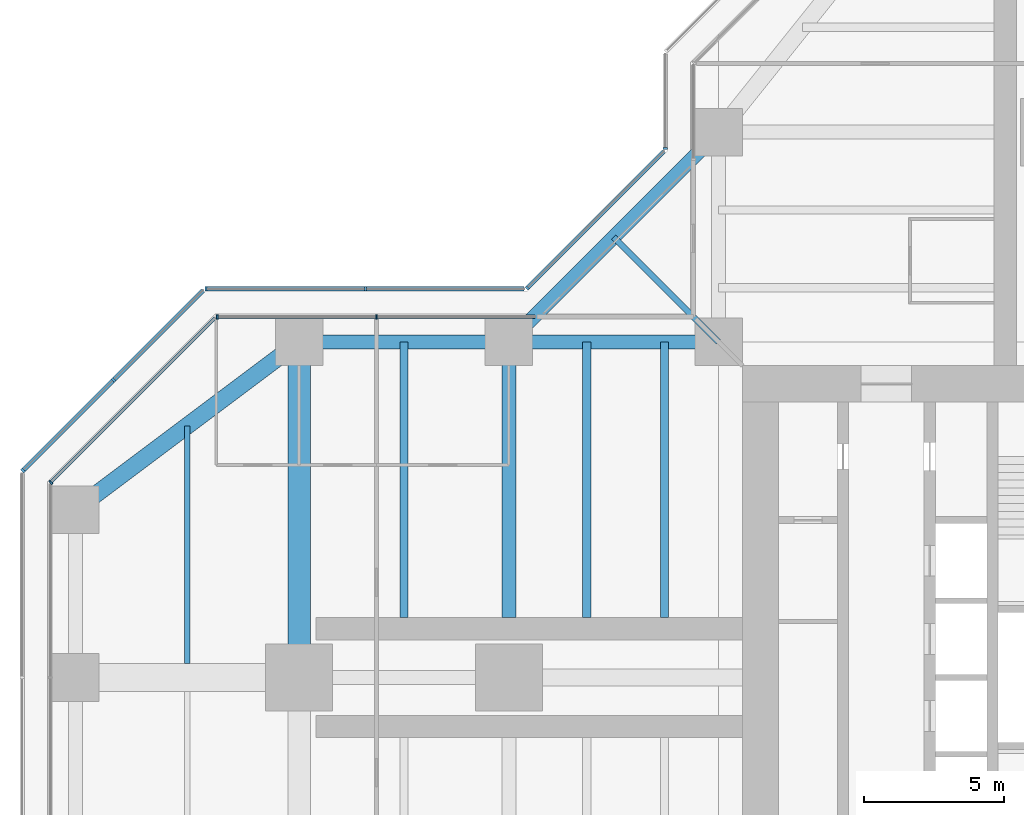
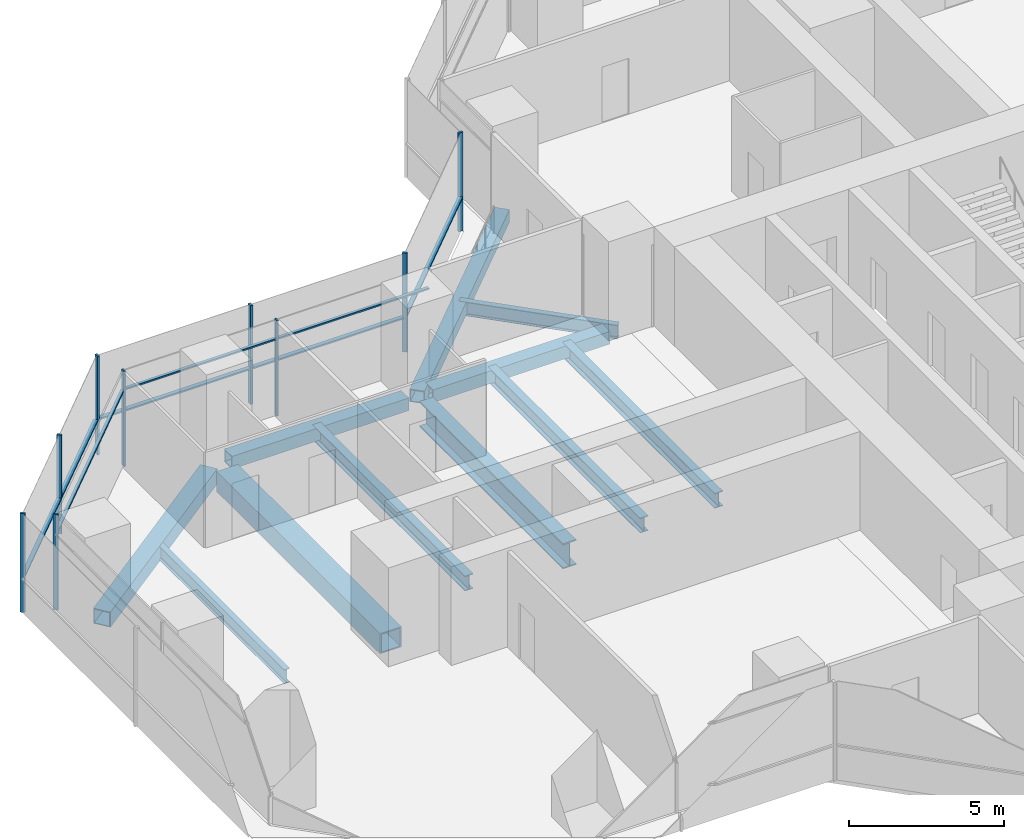
# One storey, part 7 of 19: 17 members, 11 beams, 6 elements without a shape of their own.
"""IFC4 building model written with IfcOpenShell, lengths in metres."""

import ifcopenshell
import ifcopenshell.guid

model = None  # the IFC model being written
_history = None  # IfcOwnerHistory: only IFC2X3 demands one
_inside = {}  # id of a spatial element -> (the spatial element, [elements in it])
_under = {}  # id of a project, library or spatial element -> (it, [spatial elements below it])
_declared = {}  # id of a project -> (the project, [libraries it declares])
_typed = {}  # id of a type object -> (the type object, [elements of that type])
_made_of = {}  # id of a material, layer set ... -> (it, [elements and type objects made of it])


def new_model(schema):
    """Start an empty IFC model of exactly this schema.

    Asked for "IFC4X3", IfcOpenShell would pick the latest addendum, in which some entities
    have other attributes; the version numbers below select the first issue.
    IFC2X3 requires an IfcOwnerHistory on every rooted entity: one is made here for all.
    """
    global model, _history
    if schema == "IFC4X3":
        model = ifcopenshell.file(schema_version=(4, 3, 0, 0))
    else:
        model = ifcopenshell.file(schema=schema)
    _inside.clear()
    _under.clear()
    _declared.clear()
    _typed.clear()
    _made_of.clear()
    _history = None
    if model.schema == "IFC2X3":
        org = make("IfcOrganization", Name="unknown")
        user = make(
            "IfcPersonAndOrganization",
            ThePerson=make("IfcPerson", FamilyName="unknown"),
            TheOrganization=org,
        )
        app = make(
            "IfcApplication",
            ApplicationDeveloper=org,
            Version="unknown",
            ApplicationFullName="unknown",
            ApplicationIdentifier="unknown",
        )
        _history = make(
            "IfcOwnerHistory",
            OwningUser=user,
            OwningApplication=app,
            ChangeAction="ADDED",
            CreationDate=0,
        )
    return model


def make(cls, **values):
    """One entity of the class cls with the attributes given. An attribute that is None is left unset."""
    return model.create_entity(
        cls, **{name: value for name, value in values.items() if value is not None}
    )


def rooted(cls, **values):
    """An entity with a GlobalId (a new one), such as an element, a storey or a relation."""
    return make(cls, GlobalId=ifcopenshell.guid.new(), OwnerHistory=_history, **values)


def si_unit(unit_type, name, prefix=None):
    """IfcSIUnit, for example si_unit("LENGTHUNIT", "METRE", prefix="MILLI")."""
    return make("IfcSIUnit", UnitType=unit_type, Prefix=prefix, Name=name)


def assignment(units):
    """IfcUnitAssignment: the units of a project."""
    return None if units is None else make("IfcUnitAssignment", Units=units)


def point(xyz):
    """IfcCartesianPoint."""
    return None if xyz is None else make("IfcCartesianPoint", Coordinates=xyz)


def direction(xyz):
    """IfcDirection."""
    return None if xyz is None else make("IfcDirection", DirectionRatios=xyz)


def frame(location, z_axis=None, x_axis=None):
    """IfcAxis2Placement3D, a coordinate frame: its origin and axes. An axis left out is left unset."""
    return make(
        "IfcAxis2Placement3D",
        Location=point(location),
        Axis=direction(z_axis),
        RefDirection=direction(x_axis),
    )


def frame_2d(location, x_axis=None):
    """IfcAxis2Placement2D, a coordinate frame in the plane: its origin and x axis."""
    return make(
        "IfcAxis2Placement2D", Location=point(location), RefDirection=direction(x_axis)
    )


def origin():
    """The frame at (0, 0, 0) with its axes left unset."""
    return frame((0.0, 0.0, 0.0))


def origin_2d():
    """The frame at (0, 0) in the plane with its x axis left unset."""
    return frame_2d((0.0, 0.0))


def place(relative_to, where):
    """IfcLocalPlacement: puts the frame where relative to a parent placement (None: the world)."""
    return make(
        "IfcLocalPlacement", PlacementRelTo=relative_to, RelativePlacement=where
    )


def context(
    kind, dimensions, precision=None, world=None, true_north=None, identifier=None
):
    """IfcGeometricRepresentationContext, for example the 3D "Model" context."""
    return make(
        "IfcGeometricRepresentationContext",
        ContextIdentifier=identifier,
        ContextType=kind,
        CoordinateSpaceDimension=dimensions,
        Precision=precision,
        WorldCoordinateSystem=world,
        TrueNorth=true_north,
    )


def subcontext(parent, identifier, kind, view, scale=None):
    """IfcGeometricRepresentationSubContext, for example "Body" below "Model"."""
    return make(
        "IfcGeometricRepresentationSubContext",
        ContextIdentifier=identifier,
        ContextType=kind,
        ParentContext=parent,
        TargetScale=scale,
        TargetView=view,
    )


def project(units=None, contexts=None):
    """IfcProject with its units and contexts."""
    return rooted(
        "IfcProject",
        Name="project",
        RepresentationContexts=contexts,
        UnitsInContext=assignment(units),
    )


def spatial(cls, under=None, at=None, **own):
    """A site, building, storey or space (cls), placed at a placement, below another one or the project."""
    s = rooted(cls, ObjectPlacement=at, **own)
    if under is not None:
        _under.setdefault(under.id(), (under, []))[1].append(s)
    return s


def profile(cls, at=None, kind="AREA", **sizes):
    """A parametric profile (cls). Its sizes go by their IFC names, for example OverallWidth=200.0."""
    return make(cls, ProfileType=kind, Position=at, **sizes)


def rectangle(**sizes):
    """IfcRectangleProfileDef."""
    return profile("IfcRectangleProfileDef", **sizes)


def hollow_rectangle(**sizes):
    """IfcRectangleHollowProfileDef."""
    return profile("IfcRectangleHollowProfileDef", **sizes)


def i_section(**sizes):
    """IfcIShapeProfileDef."""
    return profile("IfcIShapeProfileDef", **sizes)


def extrude(swept, where, along, depth):
    """IfcExtrudedAreaSolid: the profile swept, set in the frame where, extruded along a direction by depth."""
    return make(
        "IfcExtrudedAreaSolid",
        SweptArea=swept,
        Position=where,
        ExtrudedDirection=direction(along),
        Depth=depth,
    )


def shape(context_of_items, identifier, shape_type, items):
    """IfcShapeRepresentation: the items that make up one representation, for example the "Body"."""
    return make(
        "IfcShapeRepresentation",
        ContextOfItems=context_of_items,
        RepresentationIdentifier=identifier,
        RepresentationType=shape_type,
        Items=items,
    )


def material(Name=None, Category=None):
    """IfcMaterial."""
    return make("IfcMaterial", Name=Name, Category=Category)


def material_profile(
    of_material, cross_section, Name=None, Category=None, Priority=None
):
    """IfcMaterialProfile: a cross section and its material."""
    return make(
        "IfcMaterialProfile",
        Name=Name,
        Material=of_material,
        Profile=cross_section,
        Priority=Priority,
        Category=Category,
    )


def profile_set(profiles, Name=None, composite=None):
    """IfcMaterialProfileSet."""
    return make(
        "IfcMaterialProfileSet",
        Name=Name,
        MaterialProfiles=profiles,
        CompositeProfile=composite,
    )


def made_of(thing, what):
    """Note that an element or type object is made of a material, layer set ...; save() writes the relation."""
    if what is not None:
        _made_of.setdefault(what.id(), (what, []))[1].append(thing)
    return thing


def type_object(cls, material=None, **own):
    """A type object (cls), such as IfcWallType, which elements share."""
    return made_of(rooted(cls, **own), material)


def element(
    cls,
    number,
    at=None,
    inside=None,
    cuts=None,
    type_object=None,
    material=None,
    context=None,
    identifier="Body",
    shape_type=None,
    held_by="IfcProductDefinitionShape",
    body=None,
    shapes=None,
    **own,
):
    """One element of the class cls, such as IfcWall. Its Tag is "e" and its number.

    at: its placement. inside: the storey or other place that contains it. cuts: it is an
    opening in that element (IfcRelVoidsElement). A single representation is given by context,
    identifier, shape_type and body (its items); several are given by shapes. held_by: the class
    of the entity that holds the representations. save() writes the other relations.
    """
    e = rooted(cls, Tag="e%d" % number, ObjectPlacement=at, **own)
    if body is not None:
        shapes = [shape(context, identifier, shape_type, body)]
    if shapes is not None:
        e.Representation = make(held_by, Representations=shapes)
    if inside is not None:
        _inside.setdefault(inside.id(), (inside, []))[1].append(e)
    if cuts is not None:
        rooted(
            "IfcRelVoidsElement", RelatingBuildingElement=cuts, RelatedOpeningElement=e
        )
    if type_object is not None:
        _typed.setdefault(type_object.id(), (type_object, []))[1].append(e)
    return made_of(e, material)


def aggregate(whole, parts):
    """IfcRelAggregates: a whole, such as a stair, and the parts it consists of."""
    return rooted("IfcRelAggregates", RelatingObject=whole, RelatedObjects=parts)


def save(model, path):
    """Write the relations noted so far, then the file.

    IfcRelAggregates (storeys below a building ...), IfcRelContainedInSpatialStructure (elements
    in a storey), IfcRelDefinesByType, IfcRelAssociatesMaterial and IfcRelDeclares: one each for
    every whole, place, type object, material and project.
    """
    for whole, parts in _under.values():
        aggregate(whole, parts)
    for where, things in _inside.values():
        rooted(
            "IfcRelContainedInSpatialStructure",
            RelatedElements=things,
            RelatingStructure=where,
        )
    for kind, things in _typed.values():
        rooted("IfcRelDefinesByType", RelatedObjects=things, RelatingType=kind)
    for what, things in _made_of.values():
        rooted("IfcRelAssociatesMaterial", RelatedObjects=things, RelatingMaterial=what)
    for by, libraries in _declared.values():
        rooted("IfcRelDeclares", RelatingContext=by, RelatedDefinitions=libraries)
    model.write(path)


model = new_model("IFC4")

# Units and contexts
model_context = context("Model", 3, precision=1e-05, world=origin(), true_north=direction((0.0, 1.0)))
body_context = subcontext(model_context, "Body", "Model", "MODEL_VIEW")
ifc_project = project(units=[si_unit("LENGTHUNIT", "METRE"), si_unit("AREAUNIT", "SQUARE_METRE"), si_unit("VOLUMEUNIT", "CUBIC_METRE"), si_unit("PLANEANGLEUNIT", "RADIAN"), si_unit("MASSUNIT", "GRAM", prefix="KILO")], contexts=[model_context])

# Site, building, storey
site_placement = place(None, origin())
site = spatial("IfcSite", under=ifc_project, at=site_placement, CompositionType="ELEMENT")
building_placement = place(site_placement, origin())
building = spatial("IfcBuilding", under=site, at=building_placement, Name="Mizan Broadcast Tower", CompositionType="ELEMENT")
storey_placement = place(building_placement, frame((0.0, 0.0, 159.300048828125)))
storey = spatial("IfcBuildingStorey", under=building, at=storey_placement, Name="L36", CompositionType="ELEMENT", Elevation=159.300048828125)

# Beams
ifc_material_1 = material(Name="Steel S355", Category="steel")
ifc_material_profile_1 = material_profile(ifc_material_1, hollow_rectangle(XDim=0.5, YDim=0.5, WallThickness=0.030029296875, at=origin_2d()), Name="BOX 500x500x30")
ifc_profile_set_1 = profile_set([ifc_material_profile_1], Name="Steel S355")
beam_type_1 = type_object("IfcBeamType", Name="EDGE BEAM BOX 500x500x30", PredefinedType="SPANDREL", material=ifc_profile_set_1)
for number, where, z_axis, x_axis, name in (
    (1, (-12.449951171875, 12.0, -0.380126953125), (-1.0, 0.0, 0.0), (0.0, -1.0, 0.0), "Edge beam BOX 500x500x30 L36 west arm"),
    (2, (-19.949951171875, 12.0, -0.380126953125), (-1.0, 0.0, 0.0), (0.0, -1.0, 0.0), "Edge beam BOX 500x500x30 L36 west arm"),
):
    element("IfcBeam", number, at=place(storey_placement, frame(where, z_axis=z_axis, x_axis=x_axis)), inside=storey, type_object=beam_type_1, Name=name, PredefinedType="SPANDREL", context=body_context, shape_type="SweptSolid", body=[
        extrude(hollow_rectangle(XDim=0.5, YDim=0.5, WallThickness=0.030029296875, at=origin_2d()), origin(), (0.0, 0.0, 1.0), 6.60009765625),
    ])
beam_1_placement = place(storey_placement, frame((-12.0, 19.5, -0.380126953125), z_axis=(-0.707106781187, -0.707106781187, 0.0), x_axis=(0.707106781187, -0.707106781187, 0.0)))
element("IfcBeam", 3, at=beam_1_placement, inside=storey, type_object=beam_type_1, Name="Winter garden edge beam L36 N", PredefinedType="SPANDREL", context=body_context, shape_type="SweptSolid", body=[
    extrude(hollow_rectangle(XDim=0.5, YDim=0.5, WallThickness=0.030029296875, at=origin_2d()), origin(), (0.0, 0.0, 1.0), 10.606689453125),
])
ifc_material_2 = material(Name="Steel S355", Category="steel")
ifc_material_profile_2 = material_profile(ifc_material_2, hollow_rectangle(XDim=0.60009765625, YDim=0.60009765625, WallThickness=0.030029296875, at=origin_2d()), Name="BOX 600x600x30")
ifc_profile_set_2 = profile_set([ifc_material_profile_2], Name="Steel S355")
beam_type_2 = type_object("IfcBeamType", Name="EDGE BEAM BOX 600x600x30", PredefinedType="SPANDREL", material=ifc_profile_set_2)
beam_2_placement = place(storey_placement, frame((-27.47998046875, 11.639892578125, -0.429931640625), z_axis=(-0.800013316712, -0.599982243973, 0.0), x_axis=(0.599982243973, -0.800013316712, 0.0)))
element("IfcBeam", 4, at=beam_2_placement, inside=storey, type_object=beam_type_2, Name="Edge beam BOX 600x600x30 L36 west arm", PredefinedType="SPANDREL", context=body_context, shape_type="SweptSolid", body=[
    extrude(hollow_rectangle(XDim=0.60009765625, YDim=0.60009765625, WallThickness=0.030029296875, at=origin_2d()), origin(), (0.0, 0.0, 1.0), 8.7998046875),
])
ifc_material_3 = material(Name="Steel S460", Category="steel")
ifc_material_profile_3 = material_profile(ifc_material_3, hollow_rectangle(XDim=0.800048828125, YDim=0.800048828125, WallThickness=0.050048828125, at=origin_2d()), Name="BOX 800x800x50")
ifc_profile_set_3 = profile_set([ifc_material_profile_3], Name="Steel S460")
beam_type_3 = type_object("IfcBeamType", Name="GIRDER BOX 800x800x50", PredefinedType="BEAM", material=ifc_profile_set_3)
beam_3_placement = place(storey_placement, frame((-27.0, 11.280029296875, -0.530029296875), z_axis=(0.0, -1.0, 0.0), x_axis=(1.0, 0.0, 0.0)))
element("IfcBeam", 5, at=beam_3_placement, inside=storey, type_object=beam_type_3, Name="Girder BOX 800x800x50 L36 west arm", PredefinedType="BEAM", context=body_context, shape_type="SweptSolid", body=[
    extrude(hollow_rectangle(XDim=0.800048828125, YDim=0.800048828125, WallThickness=0.050048828125, at=origin_2d()), origin(), (0.0, 0.0, 1.0), 10.56005859375),
])
ifc_material_4 = material(Name="Steel S460", Category="steel")
ifc_material_profile_4 = material_profile(ifc_material_4, i_section(OverallWidth=0.5, OverallDepth=1.0, WebThickness=0.02490234375, FlangeThickness=0.050048828125, at=origin_2d()), Name="WPG 1000x500")
ifc_profile_set_4 = profile_set([ifc_material_profile_4], Name="Steel S460")
beam_type_4 = type_object("IfcBeamType", Name="GIRDER WPG 1000x500", PredefinedType="BEAM", material=ifc_profile_set_4)
beam_4_placement = place(storey_placement, frame((-19.5, 11.408935546875, -0.630126953125), z_axis=(0.0, -1.0, 0.0), x_axis=(1.0, 0.0, 0.0)))
element("IfcBeam", 6, at=beam_4_placement, inside=storey, type_object=beam_type_4, Name="Girder WPG 1000x500 L36 west arm", PredefinedType="BEAM", context=body_context, shape_type="SweptSolid", body=[
    extrude(i_section(OverallWidth=0.5, OverallDepth=1.0, WebThickness=0.02490234375, FlangeThickness=0.050048828125, at=origin_2d()), origin(), (0.0, 0.0, 1.0), 9.259033203125),
])

# Curtain wall, members
ifc_material_5 = material(Name="Aluminium framed glazing", Category="aluminium")
curtain_wall_type_1 = type_object("IfcCurtainWallType", Name="INNER SKIN MID ZONE", PredefinedType="USERDEFINED", material=ifc_material_5)
curtain_wall_1_placement = place(storey_placement, origin())
curtain_wall_1 = element("IfcCurtainWall", 7, at=curtain_wall_1_placement, inside=storey, type_object=curtain_wall_type_1, Name="Inner skin mid zone L36 W side", ObjectType="INNER SKIN MID ZONE", PredefinedType="USERDEFINED")
ifc_material_6 = material(Name="Aluminium, pale anodised", Category="aluminium")
ifc_material_profile_5 = material_profile(ifc_material_6, rectangle(XDim=0.159912109375, YDim=0.06005859375, at=origin_2d()), Name="MULLION 160x60")
ifc_profile_set_5 = profile_set([ifc_material_profile_5], Name="Aluminium, pale anodised")
member_type_1 = type_object("IfcMemberType", Name="INNER SKIN MULLION 60x160", PredefinedType="MULLION", material=ifc_profile_set_5)
member_1_placement = place(storey_placement, frame((-24.229248046875, 12.89990234375, 0.0), z_axis=(0.0, 0.0, 1.0), x_axis=(0.0, -1.0, 0.0)))
member_1 = element("IfcMember", 8, at=member_1_placement, type_object=member_type_1, Name="Inner skin mid zone L36 W side mullion 2", PredefinedType="MULLION", context=body_context, shape_type="SweptSolid", body=[
    extrude(rectangle(XDim=0.159912109375, YDim=0.06005859375, at=origin_2d()), origin(), (0.0, 0.0, 1.0), 3.77001953125),
])
member_2_placement = place(storey_placement, frame((-29.928466796875, 12.89990234375, 0.0), z_axis=(0.0, 0.0, 1.0), x_axis=(0.0, -1.0, 0.0)))
member_2 = element("IfcMember", 9, at=member_2_placement, type_object=member_type_1, Name="Inner skin mid zone L36 W side mullion 3", PredefinedType="MULLION", context=body_context, shape_type="SweptSolid", body=[
    extrude(rectangle(XDim=0.159912109375, YDim=0.06005859375, at=origin_2d()), origin(), (0.0, 0.0, 1.0), 3.77001953125),
])

# Curtain wall, member
curtain_wall_2_placement = place(storey_placement, origin())
curtain_wall_2 = element("IfcCurtainWall", 10, at=curtain_wall_2_placement, inside=storey, type_object=curtain_wall_type_1, Name="Inner skin mid zone L36 W chamfer", ObjectType="INNER SKIN MID ZONE", PredefinedType="USERDEFINED")
member_3_placement = place(storey_placement, frame((-35.87890625, 6.979736328125, 0.0), z_axis=(0.0, 0.0, 1.0), x_axis=(0.707106781187, -0.707106781187, 0.0)))
member_3 = element("IfcMember", 11, at=member_3_placement, type_object=member_type_1, Name="Inner skin mid zone L36 W chamfer mullion 2", PredefinedType="MULLION", context=body_context, shape_type="SweptSolid", body=[
    extrude(rectangle(XDim=0.159912109375, YDim=0.06005859375, at=origin_2d()), origin(), (0.0, 0.0, 1.0), 3.77001953125),
])

# Member
ifc_material_7 = material(Name="Aluminium, pale anodised", Category="aluminium")
ifc_material_profile_6 = material_profile(ifc_material_7, rectangle(XDim=0.1201171875, YDim=0.06005859375, at=origin_2d()), Name="TRANSOM 120x60")
ifc_profile_set_6 = profile_set([ifc_material_profile_6], Name="Aluminium, pale anodised")
member_type_2 = type_object("IfcMemberType", Name="INNER SKIN TRANSOM 60x120", PredefinedType="USERDEFINED", material=ifc_profile_set_6)
member_4_placement = place(storey_placement, frame((-18.56005859375, 12.89990234375, 3.030029296875), z_axis=(-1.0, 0.0, 0.0), x_axis=(0.0, -1.0, 0.0)))
member_4 = element("IfcMember", 12, at=member_4_placement, type_object=member_type_2, Name="Inner skin mid zone L36 W side transom 1.1", ObjectType="TRANSOM", PredefinedType="USERDEFINED", context=body_context, shape_type="SweptSolid", body=[
    extrude(rectangle(XDim=0.1201171875, YDim=0.06005859375, at=origin_2d()), origin(), (0.0, 0.0, 1.0), 5.63916015625),
])

member_5_placement = place(storey_placement, frame((-24.25927734375, 12.89990234375, 3.030029296875), z_axis=(-1.0, 0.0, 0.0), x_axis=(0.0, -1.0, 0.0)))
member_5 = element("IfcMember", 13, at=member_5_placement, type_object=member_type_2, Name="Inner skin mid zone L36 W side transom 2.1", ObjectType="TRANSOM", PredefinedType="USERDEFINED", context=body_context, shape_type="SweptSolid", body=[
    extrude(rectangle(XDim=0.1201171875, YDim=0.06005859375, at=origin_2d()), origin(), (0.0, 0.0, 1.0), 5.639404296875),
])

aggregate(curtain_wall_1, [member_1, member_2, member_4, member_5])

member_6_placement = place(storey_placement, frame((-30.0009765625, 12.857666015625, 3.030029296875), z_axis=(-0.707106781187, -0.707106781187, 0.0), x_axis=(0.707106781187, -0.707106781187, 0.0)))
member_6 = element("IfcMember", 14, at=member_6_placement, type_object=member_type_2, Name="Inner skin mid zone L36 W chamfer transom 1.1", ObjectType="TRANSOM", PredefinedType="USERDEFINED", context=body_context, shape_type="SweptSolid", body=[
    extrude(rectangle(XDim=0.1201171875, YDim=0.06005859375, at=origin_2d()), origin(), (0.0, 0.0, 1.0), 8.28271484375),
])

aggregate(curtain_wall_2, [member_3, member_6])

# Curtain wall, member
ifc_material_8 = material(Name="Aluminium framed glazing", Category="aluminium")
curtain_wall_type_2 = type_object("IfcCurtainWallType", Name="OUTER SKIN", PredefinedType="USERDEFINED", material=ifc_material_8)
curtain_wall_3_placement = place(storey_placement, origin())
curtain_wall_3 = element("IfcCurtainWall", 15, at=curtain_wall_3_placement, inside=storey, type_object=curtain_wall_type_2, Name="Outer skin L36 N side", ObjectType="OUTER SKIN", PredefinedType="USERDEFINED")
ifc_material_9 = material(Name="Aluminium, pale anodised", Category="aluminium")
ifc_material_profile_7 = material_profile(ifc_material_9, rectangle(XDim=0.159912109375, YDim=0.080078125, at=origin_2d()), Name="MULLION 160x80")
ifc_profile_set_7 = profile_set([ifc_material_profile_7], Name="Aluminium, pale anodised")
member_type_3 = type_object("IfcMemberType", Name="OUTER SKIN MULLION 80x160", PredefinedType="MULLION", material=ifc_profile_set_7)
member_7_placement = place(storey_placement, frame((-13.89990234375, 18.912841796875, 0.0), z_axis=(0.0, 0.0, 1.0), x_axis=(1.0, 0.0, 0.0)))
member_7 = element("IfcMember", 16, at=member_7_placement, type_object=member_type_3, Name="Outer skin L36 N side mullion 2", PredefinedType="MULLION", context=body_context, shape_type="SweptSolid", body=[
    extrude(rectangle(XDim=0.159912109375, YDim=0.080078125, at=origin_2d()), origin(), (0.0, 0.0, 1.0), 3.89990234375),
])
aggregate(curtain_wall_3, [member_7])

curtain_wall_4_placement = place(storey_placement, origin())
curtain_wall_4 = element("IfcCurtainWall", 17, at=curtain_wall_4_placement, inside=storey, type_object=curtain_wall_type_2, Name="Outer skin L36 W chamfer", ObjectType="OUTER SKIN", PredefinedType="USERDEFINED")
member_8_placement = place(storey_placement, frame((-18.844482421875, 13.92822265625, 0.0), z_axis=(0.0, 0.0, 1.0), x_axis=(0.707106781187, -0.707106781187, 0.0)))
member_8 = element("IfcMember", 18, at=member_8_placement, type_object=member_type_3, Name="Outer skin L36 W chamfer mullion 2", PredefinedType="MULLION", context=body_context, shape_type="SweptSolid", body=[
    extrude(rectangle(XDim=0.159912109375, YDim=0.080078125, at=origin_2d()), origin(), (0.0, 0.0, 1.0), 3.89990234375),
])

# Curtain wall, members
curtain_wall_5_placement = place(storey_placement, origin())
curtain_wall_5 = element("IfcCurtainWall", 19, at=curtain_wall_5_placement, inside=storey, type_object=curtain_wall_type_2, Name="Outer skin L36 W side", ObjectType="OUTER SKIN", PredefinedType="USERDEFINED")
member_9_placement = place(storey_placement, frame((-24.622802734375, 13.89990234375, 0.0), z_axis=(0.0, 0.0, 1.0), x_axis=(0.0, -1.0, 0.0)))
member_9 = element("IfcMember", 20, at=member_9_placement, type_object=member_type_3, Name="Outer skin L36 W side mullion 2", PredefinedType="MULLION", context=body_context, shape_type="SweptSolid", body=[
    extrude(rectangle(XDim=0.159912109375, YDim=0.080078125, at=origin_2d()), origin(), (0.0, 0.0, 1.0), 3.89990234375),
])
member_10_placement = place(storey_placement, frame((-30.332763671875, 13.89990234375, 0.0), z_axis=(0.0, 0.0, 1.0), x_axis=(0.0, -1.0, 0.0)))
member_10 = element("IfcMember", 21, at=member_10_placement, type_object=member_type_3, Name="Outer skin L36 W side mullion 3", PredefinedType="MULLION", context=body_context, shape_type="SweptSolid", body=[
    extrude(rectangle(XDim=0.159912109375, YDim=0.080078125, at=origin_2d()), origin(), (0.0, 0.0, 1.0), 3.89990234375),
])

curtain_wall_6_placement = place(storey_placement, origin())
curtain_wall_6 = element("IfcCurtainWall", 22, at=curtain_wall_6_placement, inside=storey, type_object=curtain_wall_type_2, Name="Outer skin L36 W chamfer", ObjectType="OUTER SKIN", PredefinedType="USERDEFINED")
member_11_placement = place(storey_placement, frame((-33.636474609375, 10.636474609375, 0.0), z_axis=(0.0, 0.0, 1.0), x_axis=(0.707106781187, -0.707106781187, 0.0)))
member_11 = element("IfcMember", 23, at=member_11_placement, type_object=member_type_3, Name="Outer skin L36 W chamfer mullion 2", PredefinedType="MULLION", context=body_context, shape_type="SweptSolid", body=[
    extrude(rectangle(XDim=0.159912109375, YDim=0.080078125, at=origin_2d()), origin(), (0.0, 0.0, 1.0), 3.89990234375),
])
member_12_placement = place(storey_placement, frame((-36.871826171875, 7.401123046875, 0.0), z_axis=(0.0, 0.0, 1.0), x_axis=(0.707106781187, -0.707106781187, 0.0)))
member_12 = element("IfcMember", 24, at=member_12_placement, type_object=member_type_3, Name="Outer skin L36 W chamfer mullion 3", PredefinedType="MULLION", context=body_context, shape_type="SweptSolid", body=[
    extrude(rectangle(XDim=0.159912109375, YDim=0.080078125, at=origin_2d()), origin(), (0.0, 0.0, 1.0), 3.89990234375),
])

# Member
ifc_material_10 = material(Name="Aluminium, pale anodised", Category="aluminium")
ifc_material_profile_8 = material_profile(ifc_material_10, rectangle(XDim=0.159912109375, YDim=0.06005859375, at=origin_2d()), Name="TRANSOM 160x60")
ifc_profile_set_8 = profile_set([ifc_material_profile_8], Name="Aluminium, pale anodised")
member_type_4 = type_object("IfcMemberType", Name="OUTER SKIN TRANSOM 60x160", PredefinedType="USERDEFINED", material=ifc_profile_set_8)
member_13_placement = place(storey_placement, frame((-13.95654296875, 18.816162109375, 1.39990234375), z_axis=(-0.707106781187, -0.707106781187, 0.0), x_axis=(0.707106781187, -0.707106781187, 0.0)))
member_13 = element("IfcMember", 25, at=member_13_placement, type_object=member_type_4, Name="Outer skin L36 W chamfer transom 1.1", ObjectType="TRANSOM", PredefinedType="USERDEFINED", context=body_context, shape_type="SweptSolid", body=[
    extrude(rectangle(XDim=0.159912109375, YDim=0.06005859375, at=origin_2d()), origin(), (0.0, 0.0, 1.0), 6.87255859375),
])

aggregate(curtain_wall_4, [member_8, member_13])

member_14_placement = place(storey_placement, frame((-18.952880859375, 13.89990234375, 1.39990234375), z_axis=(-1.0, 0.0, 0.0), x_axis=(0.0, -1.0, 0.0)))
member_14 = element("IfcMember", 26, at=member_14_placement, type_object=member_type_4, Name="Outer skin L36 W side transom 1.1", ObjectType="TRANSOM", PredefinedType="USERDEFINED", context=body_context, shape_type="SweptSolid", body=[
    extrude(rectangle(XDim=0.159912109375, YDim=0.06005859375, at=origin_2d()), origin(), (0.0, 0.0, 1.0), 5.6298828125),
])

member_15_placement = place(storey_placement, frame((-24.662841796875, 13.89990234375, 1.39990234375), z_axis=(-1.0, 0.0, 0.0), x_axis=(0.0, -1.0, 0.0)))
member_15 = element("IfcMember", 27, at=member_15_placement, type_object=member_type_4, Name="Outer skin L36 W side transom 2.1", ObjectType="TRANSOM", PredefinedType="USERDEFINED", context=body_context, shape_type="SweptSolid", body=[
    extrude(rectangle(XDim=0.159912109375, YDim=0.06005859375, at=origin_2d()), origin(), (0.0, 0.0, 1.0), 5.6298828125),
])

aggregate(curtain_wall_5, [member_9, member_10, member_14, member_15])

member_16_placement = place(storey_placement, frame((-30.429443359375, 13.843505859375, 1.39990234375), z_axis=(-0.707106781187, -0.707106781187, 0.0), x_axis=(0.707106781187, -0.707106781187, 0.0)))
member_16 = element("IfcMember", 28, at=member_16_placement, type_object=member_type_4, Name="Outer skin L36 W chamfer transom 1.1", ObjectType="TRANSOM", PredefinedType="USERDEFINED", context=body_context, shape_type="SweptSolid", body=[
    extrude(rectangle(XDim=0.159912109375, YDim=0.06005859375, at=origin_2d()), origin(), (0.0, 0.0, 1.0), 4.495361328125),
])

member_17_placement = place(storey_placement, frame((-33.664794921875, 10.608154296875, 1.39990234375), z_axis=(-0.707106781187, -0.707106781187, 0.0), x_axis=(0.707106781187, -0.707106781187, 0.0)))
member_17 = element("IfcMember", 29, at=member_17_placement, type_object=member_type_4, Name="Outer skin L36 W chamfer transom 2.1", ObjectType="TRANSOM", PredefinedType="USERDEFINED", context=body_context, shape_type="SweptSolid", body=[
    extrude(rectangle(XDim=0.159912109375, YDim=0.06005859375, at=origin_2d()), origin(), (0.0, 0.0, 1.0), 4.495361328125),
])

aggregate(curtain_wall_6, [member_11, member_12, member_16, member_17])

# Beams
ifc_material_11 = material(Name="Steel S355", Category="steel")
ifc_material_profile_9 = material_profile(ifc_material_11, i_section(OverallWidth=0.300048828125, OverallDepth=0.590087890625, WebThickness=0.012939453125, FlangeThickness=0.02490234375, FilletRadius=0.027099609375, at=origin_2d()), Name="HEA 600")
ifc_profile_set_9 = profile_set([ifc_material_profile_9], Name="Steel S355")
beam_type_5 = type_object("IfcBeamType", Name="SECONDARY BEAM HEA 600", PredefinedType="JOIST", material=ifc_profile_set_9)
for number, where, z_axis, x_axis, name in (
    (30, (-13.933349609375, 12.0, -0.425048828125), (0.0, -1.0, 0.0), (1.0, 0.0, 0.0), "Secondary beam HEA 600 L36 west arm"),
    (31, (-16.716552734375, 12.0, -0.425048828125), (0.0, -1.0, 0.0), (1.0, 0.0, 0.0), "Secondary beam HEA 600 L36 west arm"),
    (32, (-23.25, 12.0, -0.425048828125), (0.0, -1.0, 0.0), (1.0, 0.0, 0.0), "Secondary beam HEA 600 L36 west arm"),
):
    element("IfcBeam", number, at=place(storey_placement, frame(where, z_axis=z_axis, x_axis=x_axis)), inside=storey, type_object=beam_type_5, Name=name, PredefinedType="JOIST", context=body_context, shape_type="SweptSolid", body=[
        extrude(i_section(OverallWidth=0.300048828125, OverallDepth=0.590087890625, WebThickness=0.012939453125, FlangeThickness=0.02490234375, FilletRadius=0.027099609375, at=origin_2d()), origin(), (0.0, 0.0, 1.0), 9.85009765625),
    ])
ifc_material_12 = material(Name="Steel S355", Category="steel")
ifc_material_profile_10 = material_profile(ifc_material_12, i_section(OverallWidth=0.2099609375, OverallDepth=0.550048828125, WebThickness=0.010986328125, FlangeThickness=0.01708984375, FilletRadius=0.02392578125, at=origin_2d()), Name="IPE 550")
ifc_profile_set_10 = profile_set([ifc_material_profile_10], Name="Steel S355")
beam_type_6 = type_object("IfcBeamType", Name="SECONDARY BEAM IPE 550", PredefinedType="JOIST", material=ifc_profile_set_10)
beam_5_placement = place(storey_placement, frame((-31.0, 9.0, -0.405029296875), z_axis=(0.0, -1.0, 0.0), x_axis=(1.0, 0.0, 0.0)))
element("IfcBeam", 33, at=beam_5_placement, inside=storey, type_object=beam_type_6, Name="Secondary beam IPE 550 L36 west arm", PredefinedType="JOIST", context=body_context, shape_type="SweptSolid", body=[
    extrude(i_section(OverallWidth=0.2099609375, OverallDepth=0.550048828125, WebThickness=0.010986328125, FlangeThickness=0.01708984375, FilletRadius=0.02392578125, at=origin_2d()), origin(), (0.0, 0.0, 1.0), 8.5),
])
beam_6_placement = place(storey_placement, frame((-12.0, 12.0, -0.405029296875), z_axis=(-0.707106781187, 0.707106781187, 0.0), x_axis=(-0.707106781187, -0.707106781187, 0.0)))
element("IfcBeam", 34, at=beam_6_placement, inside=storey, type_object=beam_type_6, Name="Winter garden beam L36 N", PredefinedType="JOIST", context=body_context, shape_type="SweptSolid", body=[
    extrude(i_section(OverallWidth=0.2099609375, OverallDepth=0.550048828125, WebThickness=0.010986328125, FlangeThickness=0.01708984375, FilletRadius=0.02392578125, at=origin_2d()), origin(), (0.0, 0.0, 1.0), 5.30322265625),
])

save(model, "model.ifc")
